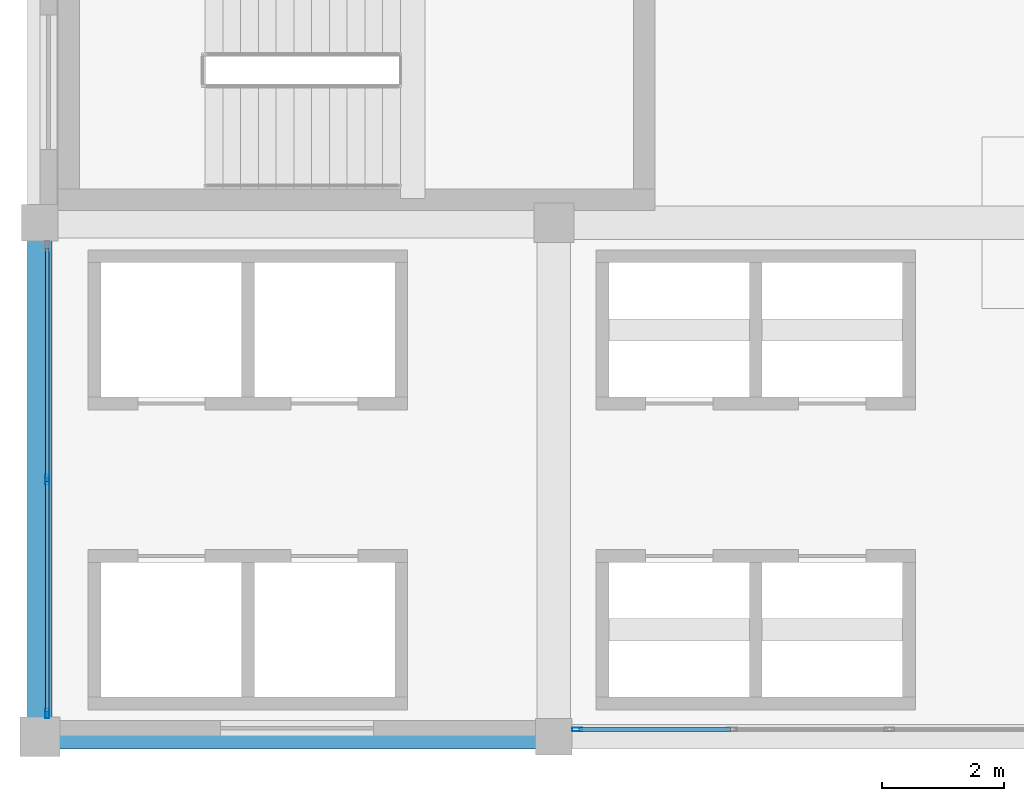
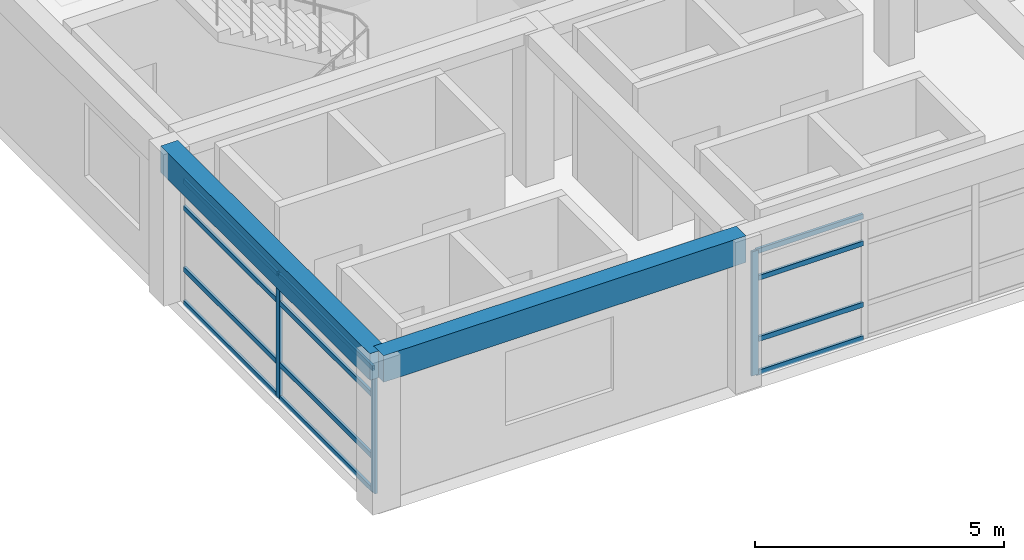
# One storey, part 2 of 26: 15 members, 2 beams, 2 elements without a shape of their own.
"""IFC4 building model written with IfcOpenShell, lengths in metres."""

from ifc_helpers import new_model, si_unit, direction, frame, origin, origin_2d, place, context, subcontext, project, spatial, rectangle, hollow_rectangle, extrude, material, material_profile, profile_set, type_object, element, aggregate, save


model = new_model("IFC4")

# Units and contexts
model_context = context("Model", 3, precision=1e-05, world=origin(), true_north=direction((0.0, 1.0)))
body_context = subcontext(model_context, "Body", "Model", "MODEL_VIEW")
ifc_project = project(units=[si_unit("LENGTHUNIT", "METRE"), si_unit("AREAUNIT", "SQUARE_METRE"), si_unit("VOLUMEUNIT", "CUBIC_METRE"), si_unit("PLANEANGLEUNIT", "RADIAN"), si_unit("MASSUNIT", "GRAM", prefix="KILO")], contexts=[model_context])

# Site, building, storey
site_placement = place(None, origin())
site = spatial("IfcSite", under=ifc_project, at=site_placement, CompositionType="ELEMENT")
building_placement = place(site_placement, origin())
building = spatial("IfcBuilding", under=site, at=building_placement, Name="Almacenes y Pasaje Nevantli", CompositionType="ELEMENT")
storey_placement = place(building_placement, frame((0.0, 0.0, 46.699951171875)))
storey = spatial("IfcBuildingStorey", under=building, at=storey_placement, Name="L11", CompositionType="ELEMENT", Elevation=46.699951171875)

# Beams
ifc_material_1 = material(Name="Concrete C35/45", Category="concrete")
ifc_material_profile_1 = material_profile(ifc_material_1, rectangle(XDim=0.39990234375, YDim=0.64990234375, at=origin_2d()), Name="RC-BM-400x650")
ifc_profile_set_1 = profile_set([ifc_material_profile_1], Name="Concrete C35/45")
beam_type = type_object("IfcBeamType", Name="BM-RC-400x650", PredefinedType="SPANDREL", material=ifc_profile_set_1)
beam_1_placement = place(storey_placement, frame((117.60009765625, 67.199951171875, 3.39501953125), z_axis=(1.0, 0.0, 0.0), x_axis=(0.0, 1.0, 0.0)))
element("IfcBeam", 1, at=beam_1_placement, inside=storey, type_object=beam_type, Name="L11 East-West Reinforced Concrete Beam #3844", PredefinedType="SPANDREL", context=body_context, shape_type="SweptSolid", body=[
    extrude(rectangle(XDim=0.39990234375, YDim=0.64990234375, at=origin_2d()), origin(), (0.0, 0.0, 1.0), 8.39990234375),
])
beam_2_placement = place(storey_placement, frame((117.60009765625, 67.199951171875, 3.39501953125), z_axis=(0.0, 1.0, 0.0), x_axis=(-1.0, 0.0, 0.0)))
element("IfcBeam", 2, at=beam_2_placement, inside=storey, type_object=beam_type, Name="L11 North-South Reinforced Concrete Beam #3869", PredefinedType="SPANDREL", context=body_context, shape_type="SweptSolid", body=[
    extrude(rectangle(XDim=0.39990234375, YDim=0.64990234375, at=origin_2d()), origin(), (0.0, 0.0, 1.0), 8.400146484375),
])

# Curtain wall, member
ifc_material_2 = material(Name="Thermally Broken Aluminium and Low-E Glass", Category="aluminium")
curtain_wall_type = type_object("IfcCurtainWallType", Name="CW-UNIT-TOWER", PredefinedType="USERDEFINED", material=ifc_material_2)
curtain_wall_1_placement = place(storey_placement, origin())
curtain_wall_1 = element("IfcCurtainWall", 3, at=curtain_wall_1_placement, inside=storey, type_object=curtain_wall_type, Name="L11 Tower South Unitized Curtain Wall Bay 16", ObjectType="UNITIZED CURTAIN WALL", PredefinedType="USERDEFINED")
ifc_material_3 = material(Name="Thermally Broken Anodized Aluminium", Category="aluminium")
ifc_material_profile_2 = material_profile(ifc_material_3, hollow_rectangle(XDim=0.06005859375, YDim=0.159912109375, WallThickness=0.00390625, at=origin_2d()), Name="ALU-MUL-60x160")
ifc_profile_set_2 = profile_set([ifc_material_profile_2], Name="Thermally Broken Anodized Aluminium")
member_type_1 = type_object("IfcMemberType", Name="CW-MUL-180", PredefinedType="MULLION", material=ifc_profile_set_2)
member_1_placement = place(storey_placement, frame((126.3798828125, 67.320068359375, 0.0), z_axis=(0.0, 0.0, 1.0), x_axis=(0.0, 1.0, 0.0)))
member_1 = element("IfcMember", 4, at=member_1_placement, type_object=member_type_1, Name="CW-L11-151 mullion 1", PredefinedType="MULLION", context=body_context, shape_type="SweptSolid", body=[
    extrude(hollow_rectangle(XDim=0.06005859375, YDim=0.159912109375, WallThickness=0.00390625, at=origin_2d()), origin(), (0.0, 0.0, 1.0), 3.0400390625),
])

# Curtain wall, members
curtain_wall_2_placement = place(storey_placement, origin())
curtain_wall_2 = element("IfcCurtainWall", 5, at=curtain_wall_2_placement, inside=storey, type_object=curtain_wall_type, Name="L11 Tower West Curtain Wall Bay 9", ObjectType="UNITIZED CURTAIN WALL", PredefinedType="USERDEFINED")
member_2_placement = place(storey_placement, frame((117.719970703125, 67.580078125, 0.0), z_axis=(0.0, 0.0, 1.0), x_axis=(-1.0, 0.0, 0.0)))
member_2 = element("IfcMember", 6, at=member_2_placement, type_object=member_type_1, Name="CW-L11-155 mullion 1", PredefinedType="MULLION", context=body_context, shape_type="SweptSolid", body=[
    extrude(hollow_rectangle(XDim=0.06005859375, YDim=0.159912109375, WallThickness=0.00390625, at=origin_2d()), origin(), (0.0, 0.0, 1.0), 3.0400390625),
])
member_3_placement = place(storey_placement, frame((117.719970703125, 71.39990234375, 0.0), z_axis=(0.0, 0.0, 1.0), x_axis=(-1.0, 0.0, 0.0)))
member_3 = element("IfcMember", 7, at=member_3_placement, type_object=member_type_1, Name="CW-L11-155 mullion 2", PredefinedType="MULLION", context=body_context, shape_type="SweptSolid", body=[
    extrude(hollow_rectangle(XDim=0.06005859375, YDim=0.159912109375, WallThickness=0.00390625, at=origin_2d()), origin(), (0.0, 0.0, 1.0), 3.0400390625),
])

# Member
ifc_material_4 = material(Name="Thermally Broken Anodized Aluminium", Category="aluminium")
ifc_material_profile_3 = material_profile(ifc_material_4, hollow_rectangle(XDim=0.06005859375, YDim=0.1201171875, WallThickness=0.00341796875, at=origin_2d()), Name="ALU-TRN-60x120")
ifc_profile_set_3 = profile_set([ifc_material_profile_3], Name="Thermally Broken Anodized Aluminium")
member_type_2 = type_object("IfcMemberType", Name="CW-TRN-130", PredefinedType="USERDEFINED", material=ifc_profile_set_3)
member_4_placement = place(storey_placement, frame((126.409912109375, 67.320068359375, 0.030029296875), z_axis=(1.0, 0.0, 0.0), x_axis=(0.0, 1.0, 0.0)))
member_4 = element("IfcMember", 8, at=member_4_placement, type_object=member_type_2, Name="CW-L11-151 transom 1.1", ObjectType="TRANSOM", PredefinedType="USERDEFINED", context=body_context, shape_type="SweptSolid", body=[
    extrude(hollow_rectangle(XDim=0.06005859375, YDim=0.1201171875, WallThickness=0.00341796875, at=origin_2d()), origin(), (0.0, 0.0, 1.0), 2.476806640625),
])

member_5_placement = place(storey_placement, frame((126.409912109375, 67.320068359375, 0.85009765625), z_axis=(1.0, 0.0, 0.0), x_axis=(0.0, 1.0, 0.0)))
member_5 = element("IfcMember", 9, at=member_5_placement, type_object=member_type_2, Name="CW-L11-151 transom 1.2", ObjectType="TRANSOM", PredefinedType="USERDEFINED", context=body_context, shape_type="SweptSolid", body=[
    extrude(hollow_rectangle(XDim=0.06005859375, YDim=0.1201171875, WallThickness=0.00341796875, at=origin_2d()), origin(), (0.0, 0.0, 1.0), 2.476806640625),
])

member_6_placement = place(storey_placement, frame((126.409912109375, 67.320068359375, 2.35009765625), z_axis=(1.0, 0.0, 0.0), x_axis=(0.0, 1.0, 0.0)))
member_6 = element("IfcMember", 10, at=member_6_placement, type_object=member_type_2, Name="CW-L11-151 transom 1.3", ObjectType="TRANSOM", PredefinedType="USERDEFINED", context=body_context, shape_type="SweptSolid", body=[
    extrude(hollow_rectangle(XDim=0.06005859375, YDim=0.1201171875, WallThickness=0.00341796875, at=origin_2d()), origin(), (0.0, 0.0, 1.0), 2.476806640625),
])

member_7_placement = place(storey_placement, frame((126.409912109375, 67.320068359375, 3.010009765625), z_axis=(1.0, 0.0, 0.0), x_axis=(0.0, 1.0, 0.0)))
member_7 = element("IfcMember", 11, at=member_7_placement, type_object=member_type_2, Name="CW-L11-151 transom 1.4", ObjectType="TRANSOM", PredefinedType="USERDEFINED", context=body_context, shape_type="SweptSolid", body=[
    extrude(hollow_rectangle(XDim=0.06005859375, YDim=0.1201171875, WallThickness=0.00341796875, at=origin_2d()), origin(), (0.0, 0.0, 1.0), 2.476806640625),
])

aggregate(curtain_wall_1, [member_1, member_4, member_5, member_6, member_7])

member_8_placement = place(storey_placement, frame((117.719970703125, 67.610107421875, 0.030029296875), z_axis=(0.0, 1.0, 0.0), x_axis=(-1.0, 0.0, 0.0)))
member_8 = element("IfcMember", 12, at=member_8_placement, type_object=member_type_2, Name="CW-L11-155 transom 1.1", ObjectType="TRANSOM", PredefinedType="USERDEFINED", context=body_context, shape_type="SweptSolid", body=[
    extrude(hollow_rectangle(XDim=0.06005859375, YDim=0.1201171875, WallThickness=0.00341796875, at=origin_2d()), origin(), (0.0, 0.0, 1.0), 3.760009765625),
])

member_9_placement = place(storey_placement, frame((117.719970703125, 67.610107421875, 0.85009765625), z_axis=(0.0, 1.0, 0.0), x_axis=(-1.0, 0.0, 0.0)))
member_9 = element("IfcMember", 13, at=member_9_placement, type_object=member_type_2, Name="CW-L11-155 transom 1.2", ObjectType="TRANSOM", PredefinedType="USERDEFINED", context=body_context, shape_type="SweptSolid", body=[
    extrude(hollow_rectangle(XDim=0.06005859375, YDim=0.1201171875, WallThickness=0.00341796875, at=origin_2d()), origin(), (0.0, 0.0, 1.0), 3.760009765625),
])

member_10_placement = place(storey_placement, frame((117.719970703125, 67.610107421875, 2.35009765625), z_axis=(0.0, 1.0, 0.0), x_axis=(-1.0, 0.0, 0.0)))
member_10 = element("IfcMember", 14, at=member_10_placement, type_object=member_type_2, Name="CW-L11-155 transom 1.3", ObjectType="TRANSOM", PredefinedType="USERDEFINED", context=body_context, shape_type="SweptSolid", body=[
    extrude(hollow_rectangle(XDim=0.06005859375, YDim=0.1201171875, WallThickness=0.00341796875, at=origin_2d()), origin(), (0.0, 0.0, 1.0), 3.760009765625),
])

member_11_placement = place(storey_placement, frame((117.719970703125, 67.610107421875, 3.010009765625), z_axis=(0.0, 1.0, 0.0), x_axis=(-1.0, 0.0, 0.0)))
member_11 = element("IfcMember", 15, at=member_11_placement, type_object=member_type_2, Name="CW-L11-155 transom 1.4", ObjectType="TRANSOM", PredefinedType="USERDEFINED", context=body_context, shape_type="SweptSolid", body=[
    extrude(hollow_rectangle(XDim=0.06005859375, YDim=0.1201171875, WallThickness=0.00341796875, at=origin_2d()), origin(), (0.0, 0.0, 1.0), 3.760009765625),
])

member_12_placement = place(storey_placement, frame((117.719970703125, 71.429931640625, 0.030029296875), z_axis=(0.0, 1.0, 0.0), x_axis=(-1.0, 0.0, 0.0)))
member_12 = element("IfcMember", 16, at=member_12_placement, type_object=member_type_2, Name="CW-L11-155 transom 2.1", ObjectType="TRANSOM", PredefinedType="USERDEFINED", context=body_context, shape_type="SweptSolid", body=[
    extrude(hollow_rectangle(XDim=0.06005859375, YDim=0.1201171875, WallThickness=0.00341796875, at=origin_2d()), origin(), (0.0, 0.0, 1.0), 3.760009765625),
])

member_13_placement = place(storey_placement, frame((117.719970703125, 71.429931640625, 0.85009765625), z_axis=(0.0, 1.0, 0.0), x_axis=(-1.0, 0.0, 0.0)))
member_13 = element("IfcMember", 17, at=member_13_placement, type_object=member_type_2, Name="CW-L11-155 transom 2.2", ObjectType="TRANSOM", PredefinedType="USERDEFINED", context=body_context, shape_type="SweptSolid", body=[
    extrude(hollow_rectangle(XDim=0.06005859375, YDim=0.1201171875, WallThickness=0.00341796875, at=origin_2d()), origin(), (0.0, 0.0, 1.0), 3.760009765625),
])

member_14_placement = place(storey_placement, frame((117.719970703125, 71.429931640625, 2.35009765625), z_axis=(0.0, 1.0, 0.0), x_axis=(-1.0, 0.0, 0.0)))
member_14 = element("IfcMember", 18, at=member_14_placement, type_object=member_type_2, Name="CW-L11-155 transom 2.3", ObjectType="TRANSOM", PredefinedType="USERDEFINED", context=body_context, shape_type="SweptSolid", body=[
    extrude(hollow_rectangle(XDim=0.06005859375, YDim=0.1201171875, WallThickness=0.00341796875, at=origin_2d()), origin(), (0.0, 0.0, 1.0), 3.760009765625),
])

member_15_placement = place(storey_placement, frame((117.719970703125, 71.429931640625, 3.010009765625), z_axis=(0.0, 1.0, 0.0), x_axis=(-1.0, 0.0, 0.0)))
member_15 = element("IfcMember", 19, at=member_15_placement, type_object=member_type_2, Name="CW-L11-155 transom 2.4", ObjectType="TRANSOM", PredefinedType="USERDEFINED", context=body_context, shape_type="SweptSolid", body=[
    extrude(hollow_rectangle(XDim=0.06005859375, YDim=0.1201171875, WallThickness=0.00341796875, at=origin_2d()), origin(), (0.0, 0.0, 1.0), 3.760009765625),
])

aggregate(curtain_wall_2, [member_2, member_3, member_8, member_9, member_10, member_11, member_12, member_13, member_14, member_15])

save(model, "model.ifc")
